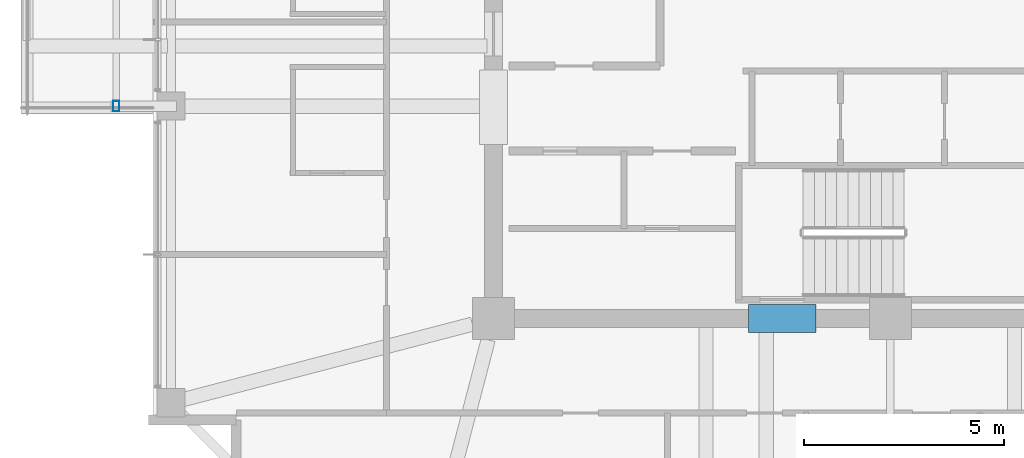
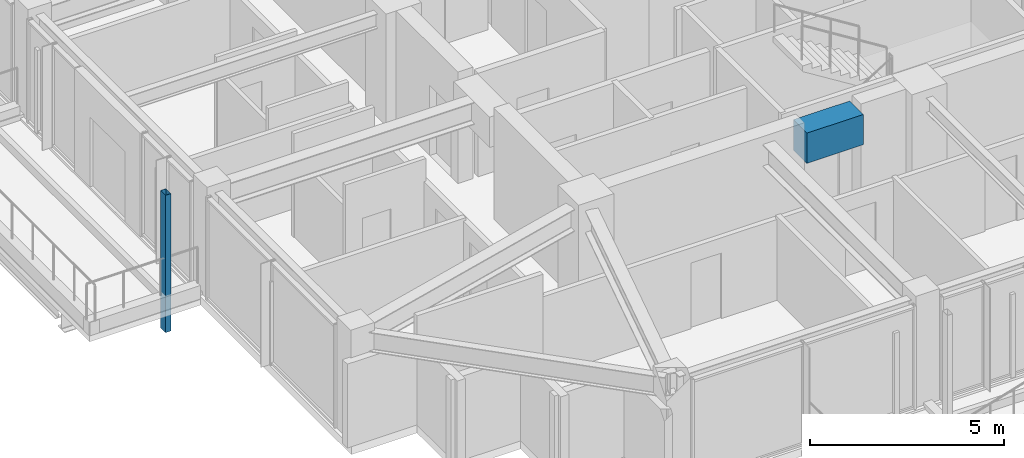
# One storey, part 6 of 34: 1 beam, 1 member.
"""IFC4 building model written with IfcOpenShell, lengths in metres."""

from ifc_helpers import new_model, si_unit, direction, frame, origin, origin_2d, place, context, subcontext, project, spatial, rectangle, hollow_rectangle, extrude, material, material_profile, profile_set, type_object, element, save


model = new_model("IFC4")

# Units and contexts
model_context = context("Model", 3, precision=1e-05, world=origin(), true_north=direction((0.0, 1.0)))
body_context = subcontext(model_context, "Body", "Model", "MODEL_VIEW")
ifc_project = project(units=[si_unit("LENGTHUNIT", "METRE"), si_unit("AREAUNIT", "SQUARE_METRE"), si_unit("VOLUMEUNIT", "CUBIC_METRE"), si_unit("PLANEANGLEUNIT", "RADIAN"), si_unit("MASSUNIT", "GRAM", prefix="KILO")], contexts=[model_context])

# Site, building, storey
site_placement = place(None, origin())
site = spatial("IfcSite", under=ifc_project, at=site_placement, CompositionType="ELEMENT")
building_placement = place(site_placement, origin())
building = spatial("IfcBuilding", under=site, at=building_placement, Name="Kolvaren Belvedere", CompositionType="ELEMENT")
storey_placement = place(building_placement, frame((0.0, 0.0, 240.89990234375)))
storey = spatial("IfcBuildingStorey", under=building, at=storey_placement, Name="L70", CompositionType="ELEMENT", Elevation=240.89990234375)

# Beam
ifc_material_1 = material(Name="Concrete C60/75", Category="concrete")
ifc_material_profile_1 = material_profile(ifc_material_1, rectangle(XDim=0.699951171875, YDim=0.949951171875, at=origin_2d()), Name="RC 700X950")
ifc_profile_set_1 = profile_set([ifc_material_profile_1], Name="Concrete C60/75")
beam_type = type_object("IfcBeamType", Name="BM-LINT-950", PredefinedType="LINTEL", material=ifc_profile_set_1)
beam_placement = place(storey_placement, frame((-3.5400390625, -9.89990234375, 2.775146484375), z_axis=(1.0, 0.0, 0.0), x_axis=(0.0, 1.0, 0.0)))
element("IfcBeam", 1, at=beam_placement, inside=storey, type_object=beam_type, Name="L70 South Core Coupling Lintel", PredefinedType="LINTEL", context=body_context, shape_type="SweptSolid", body=[
    extrude(rectangle(XDim=0.699951171875, YDim=0.949951171875, at=origin_2d()), origin(), (0.0, 0.0, 1.0), 1.679931640625),
])

# Member
ifc_material_2 = material(Name="Anodised pale-metal aluminium AA 6063-T6", Category="aluminium")
ifc_material_profile_2 = material_profile(ifc_material_2, hollow_rectangle(XDim=0.159912109375, YDim=0.260009765625, WallThickness=0.006591796875, at=origin_2d()), Name="ALU-PF-260X160")
ifc_profile_set_2 = profile_set([ifc_material_profile_2], Name="Anodised pale-metal aluminium AA 6063-T6")
member_type = type_object("IfcMemberType", Name="PF-FRAME-260", PredefinedType="USERDEFINED", material=ifc_profile_set_2)
member_placement = place(storey_placement, frame((-19.320068359375, -4.60009765625, -0.809814453125), z_axis=(0.0, 0.0, 1.0), x_axis=(1.0, 0.0, 0.0)))
element("IfcMember", 2, at=member_placement, inside=storey, type_object=member_type, Name="L70 Outboard Picture-Frame Vertical W1", ObjectType="PICTURE FRAME FIN", PredefinedType="USERDEFINED", context=body_context, shape_type="SweptSolid", body=[
    extrude(hollow_rectangle(XDim=0.159912109375, YDim=0.260009765625, WallThickness=0.006591796875, at=origin_2d()), origin(), (0.0, 0.0, 1.0), 4.309814453125),
])

save(model, "model.ifc")
